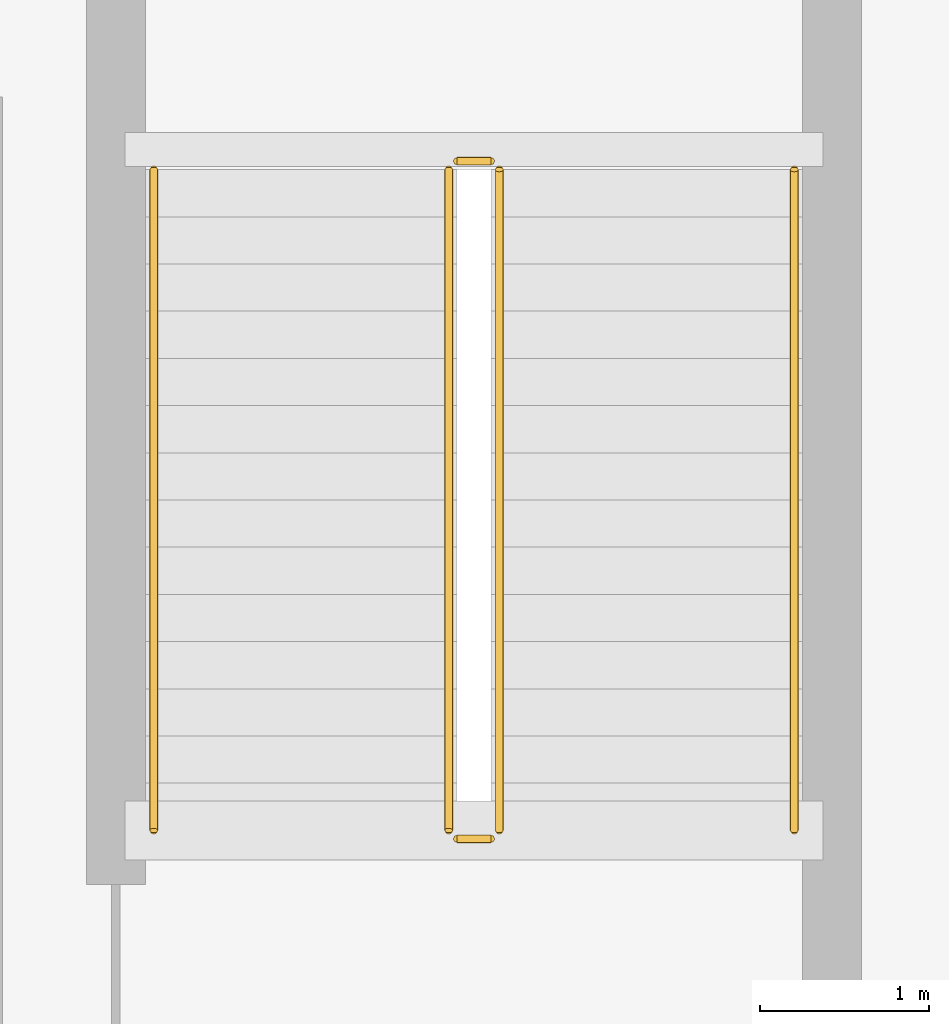
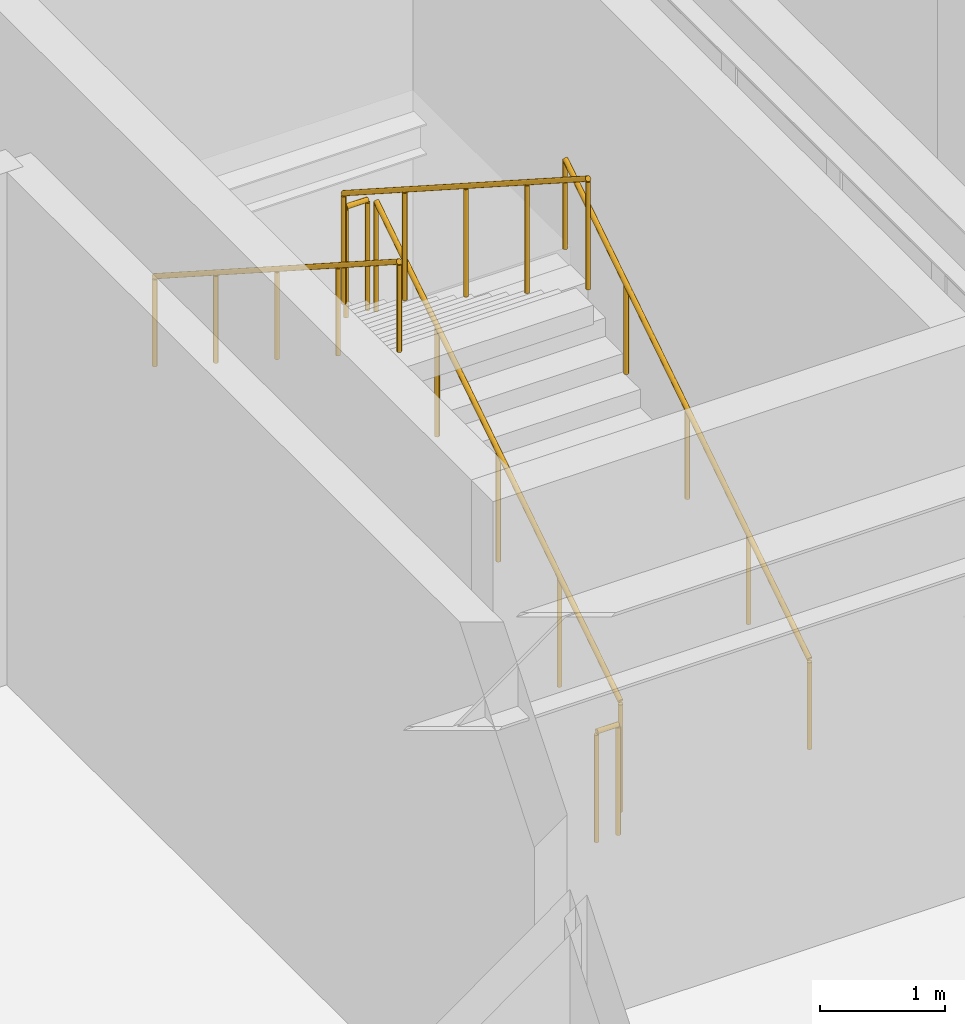
# One storey, part 84 of 91: 6 railings.
"""IFC4 building model written with IfcOpenShell, lengths in metres."""

import ifcopenshell
import ifcopenshell.guid

model = None  # the IFC model being written
_history = None  # IfcOwnerHistory: only IFC2X3 demands one
_inside = {}  # id of a spatial element -> (the spatial element, [elements in it])
_under = {}  # id of a project, library or spatial element -> (it, [spatial elements below it])
_declared = {}  # id of a project -> (the project, [libraries it declares])
_typed = {}  # id of a type object -> (the type object, [elements of that type])
_made_of = {}  # id of a material, layer set ... -> (it, [elements and type objects made of it])


def new_model(schema):
    """Start an empty IFC model of exactly this schema.

    Asked for "IFC4X3", IfcOpenShell would pick the latest addendum, in which some entities
    have other attributes; the version numbers below select the first issue.
    IFC2X3 requires an IfcOwnerHistory on every rooted entity: one is made here for all.
    """
    global model, _history
    if schema == "IFC4X3":
        model = ifcopenshell.file(schema_version=(4, 3, 0, 0))
    else:
        model = ifcopenshell.file(schema=schema)
    _inside.clear()
    _under.clear()
    _declared.clear()
    _typed.clear()
    _made_of.clear()
    _history = None
    if model.schema == "IFC2X3":
        org = make("IfcOrganization", Name="unknown")
        user = make(
            "IfcPersonAndOrganization",
            ThePerson=make("IfcPerson", FamilyName="unknown"),
            TheOrganization=org,
        )
        app = make(
            "IfcApplication",
            ApplicationDeveloper=org,
            Version="unknown",
            ApplicationFullName="unknown",
            ApplicationIdentifier="unknown",
        )
        _history = make(
            "IfcOwnerHistory",
            OwningUser=user,
            OwningApplication=app,
            ChangeAction="ADDED",
            CreationDate=0,
        )
    return model


def make(cls, **values):
    """One entity of the class cls with the attributes given. An attribute that is None is left unset."""
    return model.create_entity(
        cls, **{name: value for name, value in values.items() if value is not None}
    )


def rooted(cls, **values):
    """An entity with a GlobalId (a new one), such as an element, a storey or a relation."""
    return make(cls, GlobalId=ifcopenshell.guid.new(), OwnerHistory=_history, **values)


def si_unit(unit_type, name, prefix=None):
    """IfcSIUnit, for example si_unit("LENGTHUNIT", "METRE", prefix="MILLI")."""
    return make("IfcSIUnit", UnitType=unit_type, Prefix=prefix, Name=name)


def assignment(units):
    """IfcUnitAssignment: the units of a project."""
    return None if units is None else make("IfcUnitAssignment", Units=units)


def point(xyz):
    """IfcCartesianPoint."""
    return None if xyz is None else make("IfcCartesianPoint", Coordinates=xyz)


def direction(xyz):
    """IfcDirection."""
    return None if xyz is None else make("IfcDirection", DirectionRatios=xyz)


def frame(location, z_axis=None, x_axis=None):
    """IfcAxis2Placement3D, a coordinate frame: its origin and axes. An axis left out is left unset."""
    return make(
        "IfcAxis2Placement3D",
        Location=point(location),
        Axis=direction(z_axis),
        RefDirection=direction(x_axis),
    )


def frame_2d(location, x_axis=None):
    """IfcAxis2Placement2D, a coordinate frame in the plane: its origin and x axis."""
    return make(
        "IfcAxis2Placement2D", Location=point(location), RefDirection=direction(x_axis)
    )


def origin():
    """The frame at (0, 0, 0) with its axes left unset."""
    return frame((0.0, 0.0, 0.0))


def origin_2d():
    """The frame at (0, 0) in the plane with its x axis left unset."""
    return frame_2d((0.0, 0.0))


def place(relative_to, where):
    """IfcLocalPlacement: puts the frame where relative to a parent placement (None: the world)."""
    return make(
        "IfcLocalPlacement", PlacementRelTo=relative_to, RelativePlacement=where
    )


def context(
    kind, dimensions, precision=None, world=None, true_north=None, identifier=None
):
    """IfcGeometricRepresentationContext, for example the 3D "Model" context."""
    return make(
        "IfcGeometricRepresentationContext",
        ContextIdentifier=identifier,
        ContextType=kind,
        CoordinateSpaceDimension=dimensions,
        Precision=precision,
        WorldCoordinateSystem=world,
        TrueNorth=true_north,
    )


def subcontext(parent, identifier, kind, view, scale=None):
    """IfcGeometricRepresentationSubContext, for example "Body" below "Model"."""
    return make(
        "IfcGeometricRepresentationSubContext",
        ContextIdentifier=identifier,
        ContextType=kind,
        ParentContext=parent,
        TargetScale=scale,
        TargetView=view,
    )


def project(units=None, contexts=None):
    """IfcProject with its units and contexts."""
    return rooted(
        "IfcProject",
        Name="project",
        RepresentationContexts=contexts,
        UnitsInContext=assignment(units),
    )


def spatial(cls, under=None, at=None, **own):
    """A site, building, storey or space (cls), placed at a placement, below another one or the project."""
    s = rooted(cls, ObjectPlacement=at, **own)
    if under is not None:
        _under.setdefault(under.id(), (under, []))[1].append(s)
    return s


def profile(cls, at=None, kind="AREA", **sizes):
    """A parametric profile (cls). Its sizes go by their IFC names, for example OverallWidth=200.0."""
    return make(cls, ProfileType=kind, Position=at, **sizes)


def circle(**sizes):
    """IfcCircleProfileDef."""
    return profile("IfcCircleProfileDef", **sizes)


def extrude(swept, where, along, depth):
    """IfcExtrudedAreaSolid: the profile swept, set in the frame where, extruded along a direction by depth."""
    return make(
        "IfcExtrudedAreaSolid",
        SweptArea=swept,
        Position=where,
        ExtrudedDirection=direction(along),
        Depth=depth,
    )


def shape(context_of_items, identifier, shape_type, items):
    """IfcShapeRepresentation: the items that make up one representation, for example the "Body"."""
    return make(
        "IfcShapeRepresentation",
        ContextOfItems=context_of_items,
        RepresentationIdentifier=identifier,
        RepresentationType=shape_type,
        Items=items,
    )


def material(Name=None, Category=None):
    """IfcMaterial."""
    return make("IfcMaterial", Name=Name, Category=Category)


def made_of(thing, what):
    """Note that an element or type object is made of a material, layer set ...; save() writes the relation."""
    if what is not None:
        _made_of.setdefault(what.id(), (what, []))[1].append(thing)
    return thing


def type_object(cls, material=None, **own):
    """A type object (cls), such as IfcWallType, which elements share."""
    return made_of(rooted(cls, **own), material)


def element(
    cls,
    number,
    at=None,
    inside=None,
    cuts=None,
    type_object=None,
    material=None,
    context=None,
    identifier="Body",
    shape_type=None,
    held_by="IfcProductDefinitionShape",
    body=None,
    shapes=None,
    **own,
):
    """One element of the class cls, such as IfcWall. Its Tag is "e" and its number.

    at: its placement. inside: the storey or other place that contains it. cuts: it is an
    opening in that element (IfcRelVoidsElement). A single representation is given by context,
    identifier, shape_type and body (its items); several are given by shapes. held_by: the class
    of the entity that holds the representations. save() writes the other relations.
    """
    e = rooted(cls, Tag="e%d" % number, ObjectPlacement=at, **own)
    if body is not None:
        shapes = [shape(context, identifier, shape_type, body)]
    if shapes is not None:
        e.Representation = make(held_by, Representations=shapes)
    if inside is not None:
        _inside.setdefault(inside.id(), (inside, []))[1].append(e)
    if cuts is not None:
        rooted(
            "IfcRelVoidsElement", RelatingBuildingElement=cuts, RelatedOpeningElement=e
        )
    if type_object is not None:
        _typed.setdefault(type_object.id(), (type_object, []))[1].append(e)
    return made_of(e, material)


def aggregate(whole, parts):
    """IfcRelAggregates: a whole, such as a stair, and the parts it consists of."""
    return rooted("IfcRelAggregates", RelatingObject=whole, RelatedObjects=parts)


def save(model, path):
    """Write the relations noted so far, then the file.

    IfcRelAggregates (storeys below a building ...), IfcRelContainedInSpatialStructure (elements
    in a storey), IfcRelDefinesByType, IfcRelAssociatesMaterial and IfcRelDeclares: one each for
    every whole, place, type object, material and project.
    """
    for whole, parts in _under.values():
        aggregate(whole, parts)
    for where, things in _inside.values():
        rooted(
            "IfcRelContainedInSpatialStructure",
            RelatedElements=things,
            RelatingStructure=where,
        )
    for kind, things in _typed.values():
        rooted("IfcRelDefinesByType", RelatedObjects=things, RelatingType=kind)
    for what, things in _made_of.values():
        rooted("IfcRelAssociatesMaterial", RelatedObjects=things, RelatingMaterial=what)
    for by, libraries in _declared.values():
        rooted("IfcRelDeclares", RelatingContext=by, RelatedDefinitions=libraries)
    model.write(path)


model = new_model("IFC4")

# Units and contexts
model_context = context("Model", 3, precision=1e-05, world=origin(), true_north=direction((0.0, 1.0)))
body_context = subcontext(model_context, "Body", "Model", "MODEL_VIEW")
ifc_project = project(units=[si_unit("LENGTHUNIT", "METRE"), si_unit("AREAUNIT", "SQUARE_METRE"), si_unit("VOLUMEUNIT", "CUBIC_METRE"), si_unit("PLANEANGLEUNIT", "RADIAN"), si_unit("MASSUNIT", "GRAM", prefix="KILO")], contexts=[model_context])

# Site, building, storey
site_placement = place(None, origin())
site = spatial("IfcSite", under=ifc_project, at=site_placement, CompositionType="ELEMENT")
building_placement = place(site_placement, origin())
building = spatial("IfcBuilding", under=site, at=building_placement, Name="Vaelkrest Opera House", CompositionType="ELEMENT")
storey_placement = place(building_placement, origin())
storey = spatial("IfcBuildingStorey", under=building, at=storey_placement, Name="L00", CompositionType="ELEMENT", Elevation=0.0)

# Railings
ifc_material = material(Name="Dark bronze anodized aluminium", Category="aluminium")
railing_type_1 = type_object("IfcRailingType", Name="GR02", PredefinedType="GUARDRAIL", material=ifc_material)
railing_1_placement = place(storey_placement, frame((26.89990234375, -43.35009765625, 0.179931640625)))
element("IfcRailing", 1, at=railing_1_placement, inside=storey, type_object=railing_type_1, Name="L00 ST04 stair guard 1", PredefinedType="GUARDRAIL", context=body_context, shape_type="SweptSolid", body=[
    extrude(circle(Radius=0.02392578125, at=origin_2d()), frame((0.0, 0.0, 1.076171875), z_axis=(0.0, 0.841186985886, 0.540744352514), x_axis=(-1.0, 0.0, 0.0)), (0.0, 0.0, 1.0), 4.660400390625),
    extrude(circle(Radius=0.02099609375, at=origin_2d()), origin(), (0.0, 0.0, 1.0), 1.052001953125),
    extrude(circle(Radius=0.02099609375, at=origin_2d()), frame((0.0, 0.97998046875, 0.6298828125)), (0.0, 0.0, 1.0), 1.052001953125),
    extrude(circle(Radius=0.02099609375, at=origin_2d()), frame((0.0, 1.9599609375, 1.260009765625)), (0.0, 0.0, 1.0), 1.052001953125),
    extrude(circle(Radius=0.02099609375, at=origin_2d()), frame((0.0, 2.940185546875, 1.89013671875)), (0.0, 0.0, 1.0), 1.052001953125),
    extrude(circle(Radius=0.02099609375, at=origin_2d()), frame((0.0, 3.920166015625, 2.52001953125)), (0.0, 0.0, 1.0), 1.052001953125),
])
railing_2_placement = place(storey_placement, frame((26.85009765625, -39.3798828125, 2.699951171875)))
element("IfcRailing", 2, at=railing_2_placement, inside=storey, type_object=railing_type_1, Name="L00 ST04 stair guard 2", PredefinedType="GUARDRAIL", context=body_context, shape_type="SweptSolid", body=[
    extrude(circle(Radius=0.02392578125, at=origin_2d()), frame((0.0, 0.0, 1.076171875), z_axis=(-1.0, 0.0, 0.0), x_axis=(0.0, -1.0, 0.0)), (0.0, 0.0, 1.0), 0.2001953125),
    extrude(circle(Radius=0.02099609375, at=origin_2d()), origin(), (0.0, 0.0, 1.0), 1.052001953125),
    extrude(circle(Radius=0.02099609375, at=origin_2d()), frame((-0.2001953125, 0.0, 0.0)), (0.0, 0.0, 1.0), 1.052001953125),
])
railing_3_placement = place(storey_placement, frame((26.60009765625, -39.429931640625, 2.8798828125)))
element("IfcRailing", 3, at=railing_3_placement, inside=storey, type_object=railing_type_1, Name="L00 ST04 stair guard 3", PredefinedType="GUARDRAIL", context=body_context, shape_type="SweptSolid", body=[
    extrude(circle(Radius=0.02392578125, at=origin_2d()), frame((0.0, 0.0, 1.076171875), z_axis=(0.0, -0.841186985886, 0.540744352514), x_axis=(1.0, 0.0, 0.0)), (0.0, 0.0, 1.0), 4.660400390625),
    extrude(circle(Radius=0.02099609375, at=origin_2d()), origin(), (0.0, 0.0, 1.0), 1.052001953125),
    extrude(circle(Radius=0.02099609375, at=origin_2d()), frame((0.0, -0.97998046875, 0.6298828125)), (0.0, 0.0, 1.0), 1.052001953125),
    extrude(circle(Radius=0.02099609375, at=origin_2d()), frame((0.0, -1.9599609375, 1.260009765625)), (0.0, 0.0, 1.0), 1.052001953125),
    extrude(circle(Radius=0.02099609375, at=origin_2d()), frame((0.0, -2.940185546875, 1.89013671875)), (0.0, 0.0, 1.0), 1.052001953125),
    extrude(circle(Radius=0.02099609375, at=origin_2d()), frame((0.0, -3.920166015625, 2.52001953125)), (0.0, 0.0, 1.0), 1.052001953125),
])
railing_4_placement = place(storey_placement, frame((26.85009765625, -43.39990234375, 0.0)))
element("IfcRailing", 4, at=railing_4_placement, inside=storey, type_object=railing_type_1, Name="L00 ST04 stair guard 4", PredefinedType="GUARDRAIL", context=body_context, shape_type="SweptSolid", body=[
    extrude(circle(Radius=0.02392578125, at=origin_2d()), frame((0.0, 0.0, 1.076171875), z_axis=(-1.0, 0.0, 0.0), x_axis=(0.0, -1.0, 0.0)), (0.0, 0.0, 1.0), 0.2001953125),
    extrude(circle(Radius=0.02099609375, at=origin_2d()), origin(), (0.0, 0.0, 1.0), 1.052001953125),
    extrude(circle(Radius=0.02099609375, at=origin_2d()), frame((-0.2001953125, 0.0, 0.0)), (0.0, 0.0, 1.0), 1.052001953125),
])
railing_type_2 = type_object("IfcRailingType", Name="HR02", PredefinedType="HANDRAIL", material=ifc_material)
railing_5_placement = place(storey_placement, frame((28.64990234375, -43.35009765625, 0.179931640625)))
element("IfcRailing", 5, at=railing_5_placement, inside=storey, type_object=railing_type_2, Name="L00 ST04 stair handrail 1", PredefinedType="HANDRAIL", context=body_context, shape_type="SweptSolid", body=[
    extrude(circle(Radius=0.02392578125, at=origin_2d()), frame((0.0, 0.0, 0.8759765625), z_axis=(0.0, 0.841186985886, 0.540744352514), x_axis=(-1.0, 0.0, 0.0)), (0.0, 0.0, 1.0), 4.660400390625),
    extrude(circle(Radius=0.02099609375, at=origin_2d()), origin(), (0.0, 0.0, 1.0), 0.851806640625),
    extrude(circle(Radius=0.02099609375, at=origin_2d()), frame((0.0, 0.97998046875, 0.6298828125)), (0.0, 0.0, 1.0), 0.851806640625),
    extrude(circle(Radius=0.02099609375, at=origin_2d()), frame((0.0, 1.9599609375, 1.260009765625)), (0.0, 0.0, 1.0), 0.851806640625),
    extrude(circle(Radius=0.02099609375, at=origin_2d()), frame((0.0, 2.940185546875, 1.89013671875)), (0.0, 0.0, 1.0), 0.851806640625),
    extrude(circle(Radius=0.02099609375, at=origin_2d()), frame((0.0, 3.920166015625, 2.52001953125)), (0.0, 0.0, 1.0), 0.851806640625),
])
railing_6_placement = place(storey_placement, frame((24.85009765625, -39.429931640625, 2.8798828125)))
element("IfcRailing", 6, at=railing_6_placement, inside=storey, type_object=railing_type_2, Name="L00 ST04 stair handrail 2", PredefinedType="HANDRAIL", context=body_context, shape_type="SweptSolid", body=[
    extrude(circle(Radius=0.02392578125, at=origin_2d()), frame((0.0, 0.0, 0.8759765625), z_axis=(0.0, -0.841186985886, 0.540744352514), x_axis=(1.0, 0.0, 0.0)), (0.0, 0.0, 1.0), 4.660400390625),
    extrude(circle(Radius=0.02099609375, at=origin_2d()), origin(), (0.0, 0.0, 1.0), 0.851806640625),
    extrude(circle(Radius=0.02099609375, at=origin_2d()), frame((0.0, -0.97998046875, 0.6298828125)), (0.0, 0.0, 1.0), 0.851806640625),
    extrude(circle(Radius=0.02099609375, at=origin_2d()), frame((0.0, -1.9599609375, 1.260009765625)), (0.0, 0.0, 1.0), 0.851806640625),
    extrude(circle(Radius=0.02099609375, at=origin_2d()), frame((0.0, -2.940185546875, 1.89013671875)), (0.0, 0.0, 1.0), 0.851806640625),
    extrude(circle(Radius=0.02099609375, at=origin_2d()), frame((0.0, -3.920166015625, 2.52001953125)), (0.0, 0.0, 1.0), 0.851806640625),
])

save(model, "model.ifc")
